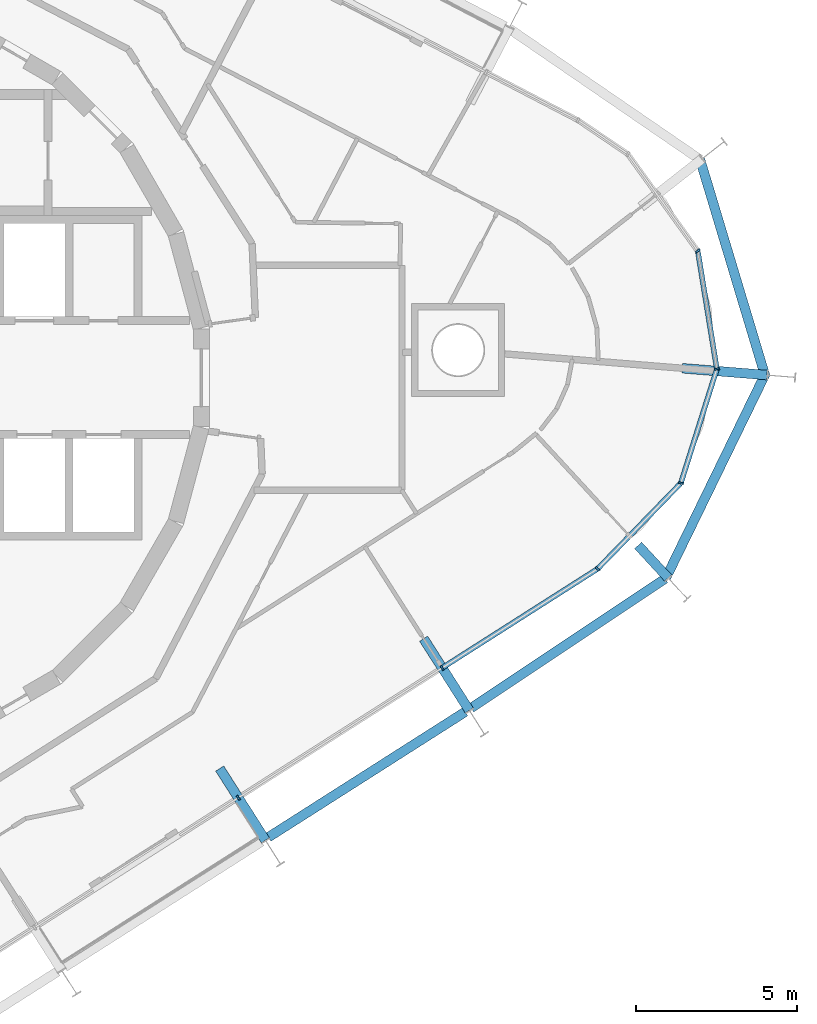
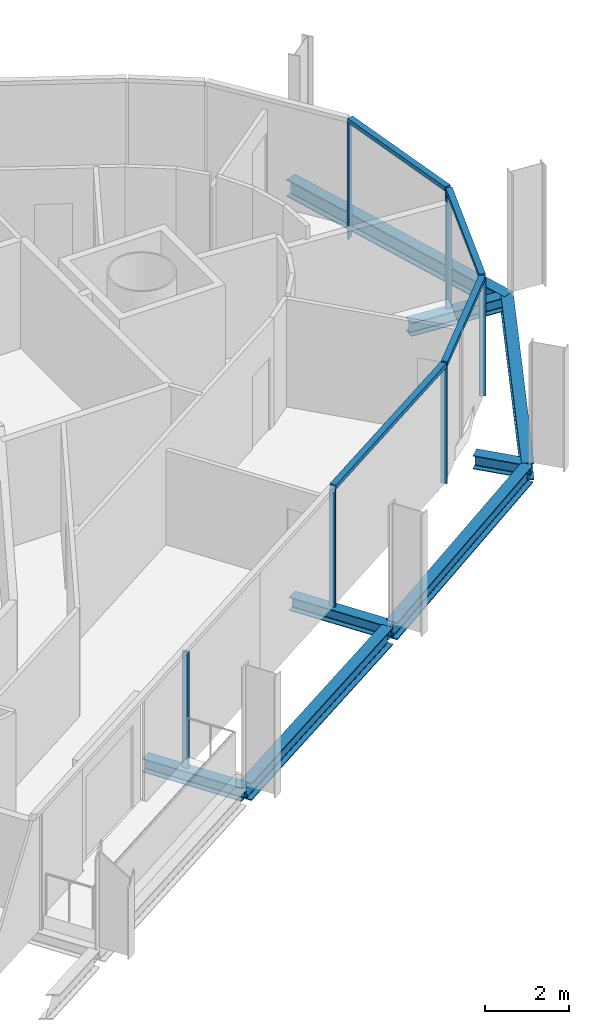
# One storey, part 5 of 17: 10 members, 8 beams, 2 elements without a shape of their own.
"""IFC4 building model written with IfcOpenShell, lengths in metres."""

from ifc_helpers import new_model, si_unit, direction, frame, origin, origin_2d, place, context, subcontext, project, spatial, rectangle, i_section, extrude, material, layer, layer_set, material_profile, profile_set, type_object, element, aggregate, save


model = new_model("IFC4")

# Units and contexts
model_context = context("Model", 3, precision=1e-05, world=origin(), true_north=direction((0.0, 1.0)))
body_context = subcontext(model_context, "Body", "Model", "MODEL_VIEW")
ifc_project = project(units=[si_unit("LENGTHUNIT", "METRE"), si_unit("AREAUNIT", "SQUARE_METRE"), si_unit("VOLUMEUNIT", "CUBIC_METRE"), si_unit("PLANEANGLEUNIT", "RADIAN"), si_unit("MASSUNIT", "GRAM", prefix="KILO")], contexts=[model_context])

# Site, building, storey
site_placement = place(None, origin())
site = spatial("IfcSite", under=ifc_project, at=site_placement, CompositionType="ELEMENT")
building_placement = place(site_placement, origin())
building = spatial("IfcBuilding", under=site, at=building_placement, Name="Spindle Arch Residences", CompositionType="ELEMENT")
storey_placement = place(building_placement, frame((0.0, 0.0, 244.199951171875)))
storey = spatial("IfcBuildingStorey", under=building, at=storey_placement, Name="L62", CompositionType="ELEMENT", Elevation=244.199951171875)

# Curtain wall, members
ifc_material_1 = material(Name="Aluminium bronze unitised frame with tinted glass", Category="aluminium")
ifc_layer_1 = layer(ifc_material_1, 0.159912109375)
ifc_layer_set_1 = layer_set([ifc_layer_1], Name="CW-D corner wall on the fillet arcs")
curtain_wall_type_1 = type_object("IfcCurtainWallType", Name="CW-D corner wall on the fillet arcs", PredefinedType="NOTDEFINED", material=ifc_layer_set_1)
curtain_wall_1_placement = place(storey_placement, origin())
curtain_wall_1 = element("IfcCurtainWall", 1, at=curtain_wall_1_placement, inside=storey, type_object=curtain_wall_type_1, Name="CW-D L62 run 1", PredefinedType="NOTDEFINED")
ifc_material_2 = material(Name="Aluminium bronze anodised mullion", Category="aluminium")
ifc_material_profile_1 = material_profile(ifc_material_2, rectangle(XDim=0.159912109375, YDim=0.06005859375, at=origin_2d()), Name="MU 60x160")
ifc_profile_set_1 = profile_set([ifc_material_profile_1], Name="Aluminium bronze anodised mullion")
member_type_1 = type_object("IfcMemberType", Name="Bronze mullion 60x160", PredefinedType="MULLION", material=ifc_profile_set_1)
member_1_placement = place(storey_placement, frame((19.151611328125, -9.0400390625, -0.3798828125), z_axis=(0.0, 0.0, 1.0), x_axis=(-0.537299608347, 0.843391445813, 0.0)))
member_1 = element("IfcMember", 2, at=member_1_placement, type_object=member_type_1, Name="CW-D mullion 00", PredefinedType="MULLION", context=body_context, shape_type="SweptSolid", body=[
    extrude(rectangle(XDim=0.159912109375, YDim=0.06005859375, at=origin_2d()), origin(), (0.0, 0.0, 1.0), 3.3798828125),
])
member_2_placement = place(storey_placement, frame((23.991455078125, -5.956787109375, -0.3798828125), z_axis=(0.0, 0.0, 1.0), x_axis=(-0.71731607908, 0.696747904692, 0.0)))
member_2 = element("IfcMember", 3, at=member_2_placement, type_object=member_type_1, Name="CW-D mullion 01", PredefinedType="MULLION", context=body_context, shape_type="SweptSolid", body=[
    extrude(rectangle(XDim=0.159912109375, YDim=0.06005859375, at=origin_2d()), origin(), (0.0, 0.0, 1.0), 3.3798828125),
])
member_3_placement = place(storey_placement, frame((26.587890625, -3.283447265625, -0.3798828125), z_axis=(0.0, 0.0, 1.0), x_axis=(-0.953716949352, 0.300705803932, 0.0)))
member_3 = element("IfcMember", 4, at=member_3_placement, type_object=member_type_1, Name="CW-D mullion 02", PredefinedType="MULLION", context=body_context, shape_type="SweptSolid", body=[
    extrude(rectangle(XDim=0.159912109375, YDim=0.06005859375, at=origin_2d()), origin(), (0.0, 0.0, 1.0), 3.3798828125),
])
member_4_placement = place(storey_placement, frame((27.708740234375, 0.270751953125, -0.3798828125), z_axis=(0.0, 0.0, 1.0), x_axis=(-0.987229114298, -0.15930686075, 0.0)))
member_4 = element("IfcMember", 5, at=member_4_placement, type_object=member_type_1, Name="CW-D mullion 03", PredefinedType="MULLION", context=body_context, shape_type="SweptSolid", body=[
    extrude(rectangle(XDim=0.159912109375, YDim=0.06005859375, at=origin_2d()), origin(), (0.0, 0.0, 1.0), 3.3798828125),
])
member_5_placement = place(storey_placement, frame((27.114990234375, 3.949951171875, -0.3798828125), z_axis=(0.0, 0.0, 1.0), x_axis=(-0.810723368962, -0.585429431289, 0.0)))
member_5 = element("IfcMember", 6, at=member_5_placement, type_object=member_type_1, Name="CW-D mullion 04", PredefinedType="MULLION", context=body_context, shape_type="SweptSolid", body=[
    extrude(rectangle(XDim=0.159912109375, YDim=0.06005859375, at=origin_2d()), origin(), (0.0, 0.0, 1.0), 3.3798828125),
])

# Curtain wall, member
ifc_material_3 = material(Name="Aluminium bronze unitised frame with tinted glass", Category="aluminium")
ifc_layer_2 = layer(ifc_material_3, 0.159912109375)
ifc_layer_set_2 = layer_set([ifc_layer_2], Name="CW-C typical residential unitised wall")
curtain_wall_type_2 = type_object("IfcCurtainWallType", Name="CW-C typical residential unitised wall", PredefinedType="NOTDEFINED", material=ifc_layer_set_2)
curtain_wall_2_placement = place(storey_placement, origin())
curtain_wall_2 = element("IfcCurtainWall", 7, at=curtain_wall_2_placement, inside=storey, type_object=curtain_wall_type_2, Name="CW-C L62 run 6", PredefinedType="NOTDEFINED")
member_6_placement = place(storey_placement, frame((12.80078125, -13.0859375, -0.3798828125), z_axis=(0.0, 0.0, 1.0), x_axis=(-0.537299608347, 0.843391445813, 0.0)))
member_6 = element("IfcMember", 8, at=member_6_placement, type_object=member_type_1, Name="CW-C mullion 00", PredefinedType="MULLION", context=body_context, shape_type="SweptSolid", body=[
    extrude(rectangle(XDim=0.159912109375, YDim=0.06005859375, at=origin_2d()), origin(), (0.0, 0.0, 1.0), 3.3798828125),
])
aggregate(curtain_wall_2, [member_6])

# Member
ifc_material_4 = material(Name="Aluminium bronze anodised transom", Category="aluminium")
ifc_material_profile_2 = material_profile(ifc_material_4, rectangle(XDim=0.159912109375, YDim=0.1201171875, at=origin_2d()), Name="TR 120x160")
ifc_profile_set_2 = profile_set([ifc_material_profile_2], Name="Aluminium bronze anodised transom")
member_type_2 = type_object("IfcMemberType", Name="Bronze transom 120x160", PredefinedType="USERDEFINED", material=ifc_profile_set_2)
member_7_placement = place(storey_placement, frame((19.177001953125, -9.02392578125, 3.06005859375), z_axis=(0.843386969226, 0.537306635115, 0.0), x_axis=(-0.537306635115, 0.843386969226, 0.0)))
member_7 = element("IfcMember", 9, at=member_7_placement, type_object=member_type_2, Name="CW-D transom 00", ObjectType="TRANSOM", PredefinedType="USERDEFINED", context=body_context, shape_type="SweptSolid", body=[
    extrude(rectangle(XDim=0.159912109375, YDim=0.1201171875, at=origin_2d()), origin(), (0.0, 0.0, 1.0), 5.678466796875),
])

member_8_placement = place(storey_placement, frame((24.01220703125, -5.93505859375, 3.06005859375), z_axis=(0.696778833098, 0.717286036213, 0.0), x_axis=(-0.717286036213, 0.696778833098, 0.0)))
member_8 = element("IfcMember", 10, at=member_8_placement, type_object=member_type_2, Name="CW-D transom 01", ObjectType="TRANSOM", PredefinedType="USERDEFINED", context=body_context, shape_type="SweptSolid", body=[
    extrude(rectangle(XDim=0.159912109375, YDim=0.1201171875, at=origin_2d()), origin(), (0.0, 0.0, 1.0), 3.666748046875),
])

member_9_placement = place(storey_placement, frame((26.596923828125, -3.2548828125, 3.06005859375), z_axis=(0.300745778047, 0.953704344641, 0.0), x_axis=(-0.953704344641, 0.300745778047, 0.0)))
member_9 = element("IfcMember", 11, at=member_9_placement, type_object=member_type_2, Name="CW-D transom 02", ObjectType="TRANSOM", PredefinedType="USERDEFINED", context=body_context, shape_type="SweptSolid", body=[
    extrude(rectangle(XDim=0.159912109375, YDim=0.1201171875, at=origin_2d()), origin(), (0.0, 0.0, 1.0), 3.666748046875),
])

member_10_placement = place(storey_placement, frame((27.703857421875, 0.300537109375, 3.06005859375), z_axis=(-0.15933292013, 0.987224908804, 0.0), x_axis=(-0.987224908804, -0.15933292013, 0.0)))
member_10 = element("IfcMember", 12, at=member_10_placement, type_object=member_type_2, Name="CW-D transom 03", ObjectType="TRANSOM", PredefinedType="USERDEFINED", context=body_context, shape_type="SweptSolid", body=[
    extrude(rectangle(XDim=0.159912109375, YDim=0.1201171875, at=origin_2d()), origin(), (0.0, 0.0, 1.0), 3.666748046875),
])

aggregate(curtain_wall_1, [member_1, member_7, member_2, member_8, member_3, member_9, member_4, member_10, member_5])

# Beams
ifc_material_5 = material(Name="Steel S460ML, intumescent coating R 120", Category="steel")
ifc_material_profile_3 = material_profile(ifc_material_5, i_section(OverallWidth=0.300048828125, OverallDepth=0.5, WebThickness=0.014404296875, FlangeThickness=0.028076171875, FilletRadius=0.027099609375, at=origin_2d()), Name="HEB 500")
ifc_profile_set_3 = profile_set([ifc_material_profile_3], Name="Steel S460ML, intumescent coating R 120")
beam_type_1 = type_object("IfcBeamType", Name="Exoskeleton edge beam HEB 500", PredefinedType="BEAM", material=ifc_profile_set_3)
beam_1_placement = place(storey_placement, frame((13.73779296875, -14.314697265625, -0.6298828125), z_axis=(0.843406961456, 0.53727525289, 0.0), x_axis=(-0.53727525289, 0.843406961456, 0.0)))
element("IfcBeam", 13, at=beam_1_placement, inside=storey, type_object=beam_type_1, Name="Exoskeleton edge beam 1", PredefinedType="BEAM", context=body_context, shape_type="SweptSolid", body=[
    extrude(i_section(OverallWidth=0.300048828125, OverallDepth=0.5, WebThickness=0.014404296875, FlangeThickness=0.028076171875, FilletRadius=0.027099609375, at=origin_2d()), origin(), (0.0, 0.0, 1.0), 7.27001953125),
])
beam_2_placement = place(storey_placement, frame((20.05224609375, -10.291015625, -0.6298828125), z_axis=(0.83190027786, 0.554925155041, 0.0), x_axis=(-0.554925155041, 0.83190027786, 0.0)))
element("IfcBeam", 14, at=beam_2_placement, inside=storey, type_object=beam_type_1, Name="Exoskeleton edge beam 2", PredefinedType="BEAM", context=body_context, shape_type="SweptSolid", body=[
    extrude(i_section(OverallWidth=0.300048828125, OverallDepth=0.5, WebThickness=0.014404296875, FlangeThickness=0.028076171875, FilletRadius=0.027099609375, at=origin_2d()), origin(), (0.0, 0.0, 1.0), 7.26220703125),
])
for number, where, z_axis, x_axis, name in (
    (15, (26.1201171875, -6.241943359375, -0.6298828125), (0.43802573961, 0.898962430494, 0.0), (-0.898962430494, 0.43802573961, 0.0), "Exoskeleton edge beam 3"),
    (16, (29.22021484375, 0.03076171875, -0.6298828125), (-0.288038985398, 0.957618683449, 0.0), (-0.957618683449, -0.288038985398, 0.0), "Exoskeleton edge beam 4"),
):
    element("IfcBeam", number, at=place(storey_placement, frame(where, z_axis=z_axis, x_axis=x_axis)), inside=storey, type_object=beam_type_1, Name=name, PredefinedType="BEAM", context=body_context, shape_type="SweptSolid", body=[
        extrude(i_section(OverallWidth=0.300048828125, OverallDepth=0.5, WebThickness=0.014404296875, FlangeThickness=0.028076171875, FilletRadius=0.027099609375, at=origin_2d()), origin(), (0.0, 0.0, 1.0), 7.096923828125),
    ])
ifc_material_6 = material(Name="Steel S460ML, intumescent coating R 120", Category="steel")
ifc_material_profile_4 = material_profile(ifc_material_6, i_section(OverallWidth=0.300048828125, OverallDepth=0.389892578125, WebThickness=0.010986328125, FlangeThickness=0.01904296875, FilletRadius=0.027099609375, at=origin_2d()), Name="HEA 400")
ifc_profile_set_4 = profile_set([ifc_material_profile_4], Name="Steel S460ML, intumescent coating R 120")
beam_type_2 = type_object("IfcBeamType", Name="Floor outrigger HEA 400", PredefinedType="BEAM", material=ifc_profile_set_4)
for number, where, z_axis, x_axis, name in (
    (17, (13.644287109375, -14.409912109375, -0.574951171875), (-0.537316570745, 0.843380639334, 0.0), (-0.843380639334, -0.537316570745, 0.0), "Floor outrigger 1"),
    (18, (19.9951171875, -10.364013671875, -0.574951171875), (-0.537316570745, 0.843380639334, 0.0), (-0.843380639334, -0.537316570745, 0.0), "Floor outrigger 2"),
):
    element("IfcBeam", number, at=place(storey_placement, frame(where, z_axis=z_axis, x_axis=x_axis)), inside=storey, type_object=beam_type_2, Name=name, PredefinedType="BEAM", context=body_context, shape_type="SweptSolid", body=[
        extrude(i_section(OverallWidth=0.300048828125, OverallDepth=0.389892578125, WebThickness=0.010986328125, FlangeThickness=0.01904296875, FilletRadius=0.027099609375, at=origin_2d()), origin(), (0.0, 0.0, 1.0), 2.64990234375),
    ])
beam_3_placement = place(storey_placement, frame((26.189697265625, -6.23828125, -0.574951171875), z_axis=(-0.677647212058, 0.735387147011, 0.0), x_axis=(-0.735387147011, -0.677647212058, 0.0)))
element("IfcBeam", 19, at=beam_3_placement, inside=storey, type_object=beam_type_2, Name="Floor outrigger 3", PredefinedType="BEAM", context=body_context, shape_type="SweptSolid", body=[
    extrude(i_section(OverallWidth=0.300048828125, OverallDepth=0.389892578125, WebThickness=0.010986328125, FlangeThickness=0.01904296875, FilletRadius=0.027099609375, at=origin_2d()), origin(), (0.0, 0.0, 1.0), 1.37841796875),
])
beam_4_placement = place(storey_placement, frame((29.268798828125, 0.080810546875, -0.574951171875), z_axis=(-0.996753470089, 0.080514097307, 0.0), x_axis=(-0.080514097307, -0.996753470089, 0.0)))
element("IfcBeam", 20, at=beam_4_placement, inside=storey, type_object=beam_type_2, Name="Floor outrigger 4", PredefinedType="BEAM", context=body_context, shape_type="SweptSolid", body=[
    extrude(i_section(OverallWidth=0.300048828125, OverallDepth=0.389892578125, WebThickness=0.010986328125, FlangeThickness=0.01904296875, FilletRadius=0.027099609375, at=origin_2d()), origin(), (0.0, 0.0, 1.0), 2.650146484375),
])

save(model, "model.ifc")
